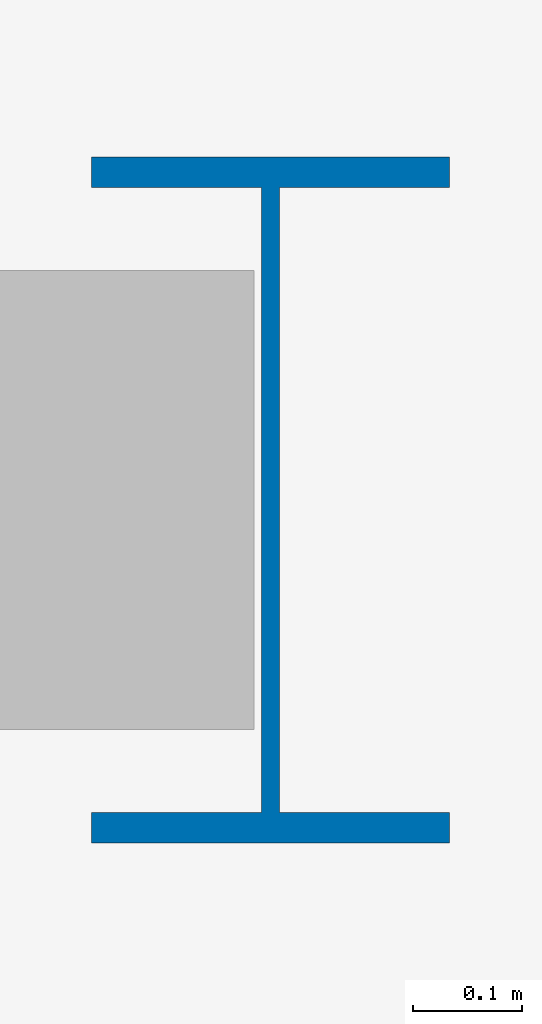
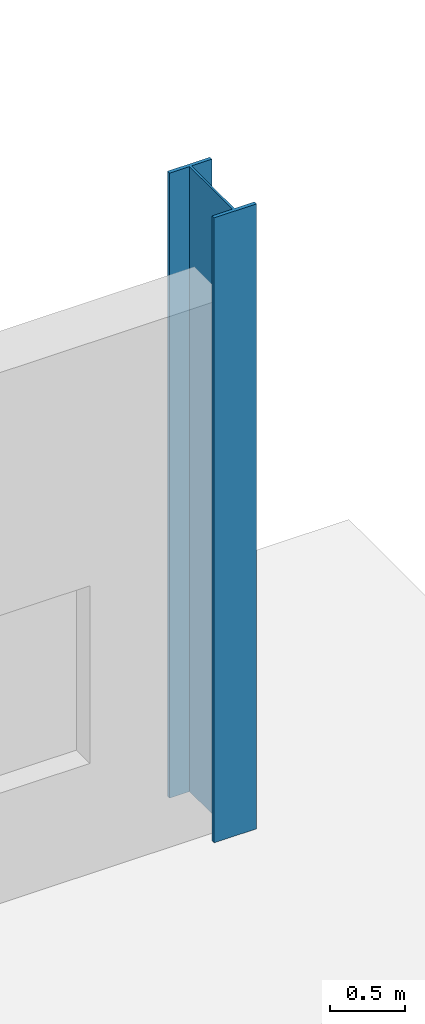
# One storey, part 24 of 119: 1 column.
"""IFC4 building model written with IfcOpenShell, lengths in metres."""

from ifc_helpers import new_model, si_unit, derived_unit, direction, frame, origin, origin_2d, place, context, subcontext, project, spatial, i_section, extrude, material, material_profile, profile_set, type_object, element, save


model = new_model("IFC4")

# Units and contexts
model_context = context("Model", 3, precision=1e-05, world=origin(), true_north=direction((0.0, 1.0)))
body_context = subcontext(model_context, "Body", "Model", "MODEL_VIEW")
ifc_project = project(units=[si_unit("LENGTHUNIT", "METRE"), si_unit("AREAUNIT", "SQUARE_METRE"), si_unit("VOLUMEUNIT", "CUBIC_METRE"), si_unit("PLANEANGLEUNIT", "RADIAN"), si_unit("MASSUNIT", "GRAM", prefix="KILO"), derived_unit("THERMALTRANSMITTANCEUNIT", [(si_unit("MASSUNIT", "GRAM", prefix="KILO"), 1), (si_unit("TIMEUNIT", "SECOND"), -3), (si_unit("THERMODYNAMICTEMPERATUREUNIT", "KELVIN"), -1)])], contexts=[model_context])

# Site, building, storey
site_placement = place(None, origin())
site = spatial("IfcSite", under=ifc_project, at=site_placement, CompositionType="ELEMENT")
building_placement = place(site_placement, origin())
building = spatial("IfcBuilding", under=site, at=building_placement, Name="Makaiwela Harbour Ferry Terminal", CompositionType="ELEMENT")
storey_placement = place(building_placement, origin())
storey = spatial("IfcBuildingStorey", under=building, at=storey_placement, Name="L00", CompositionType="ELEMENT", Elevation=0.0)

# Column
ifc_material = material(Name="Steel ASTM A992 Grade 50", Category="steel")
ifc_material_profile = material_profile(ifc_material, i_section(OverallWidth=0.327880859375, OverallDepth=0.6279296875, WebThickness=0.0166015625, FlangeThickness=0.027587890625, at=origin_2d()), Name="W24X146")
ifc_profile_set = profile_set([ifc_material_profile], Name="Steel ASTM A992 Grade 50")
column_type = type_object("IfcColumnType", Name="STR-COL-W24X146", PredefinedType="COLUMN", material=ifc_profile_set)
column_placement = place(storey_placement, frame((138.60009765625, 103.39990234375, 0.0), z_axis=(0.0, 0.0, 1.0), x_axis=(1.0, 0.0, 0.0)))
element("IfcColumn", 1, at=column_placement, inside=storey, type_object=column_type, Name="Structural Column C-01", PredefinedType="COLUMN", context=body_context, shape_type="SweptSolid", body=[
    extrude(i_section(OverallWidth=0.327880859375, OverallDepth=0.6279296875, WebThickness=0.0166015625, FlangeThickness=0.027587890625, at=origin_2d()), origin(), (0.0, 0.0, 1.0), 5.10009765625),
])

save(model, "model.ifc")
